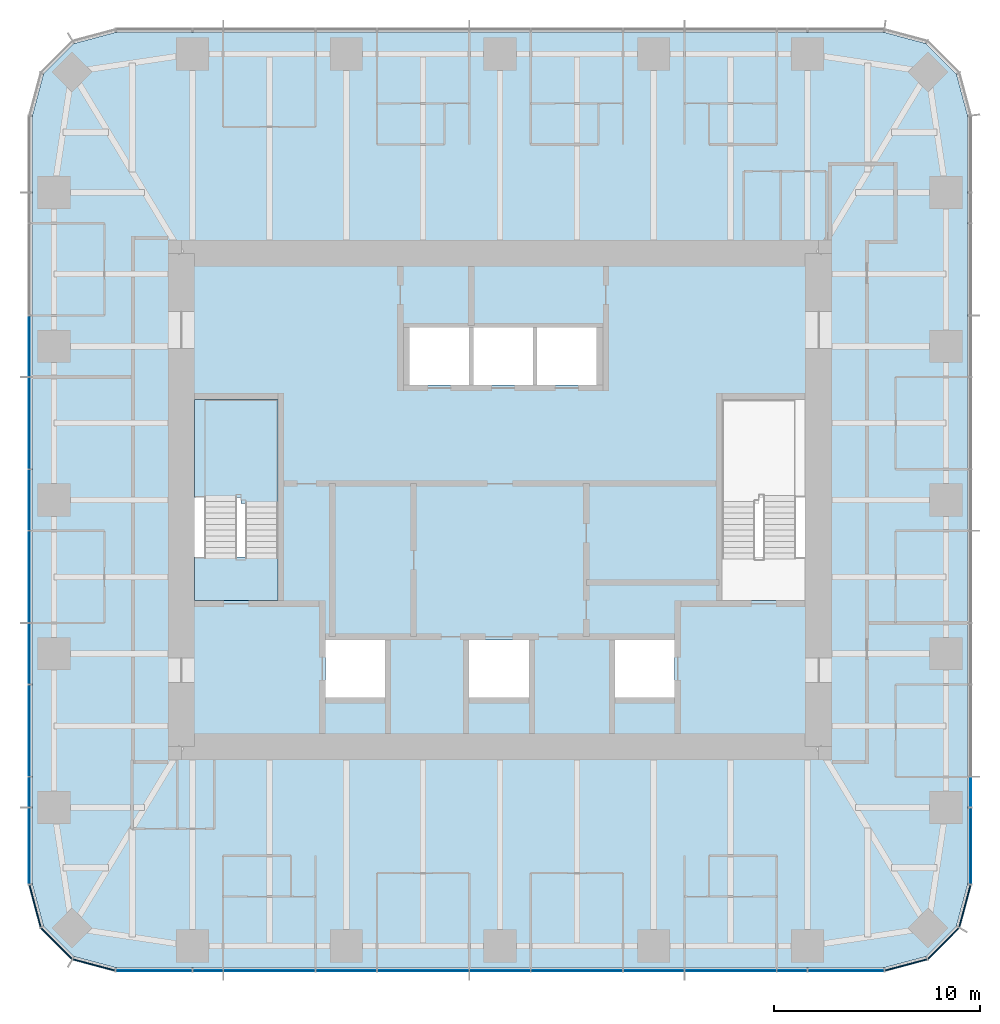
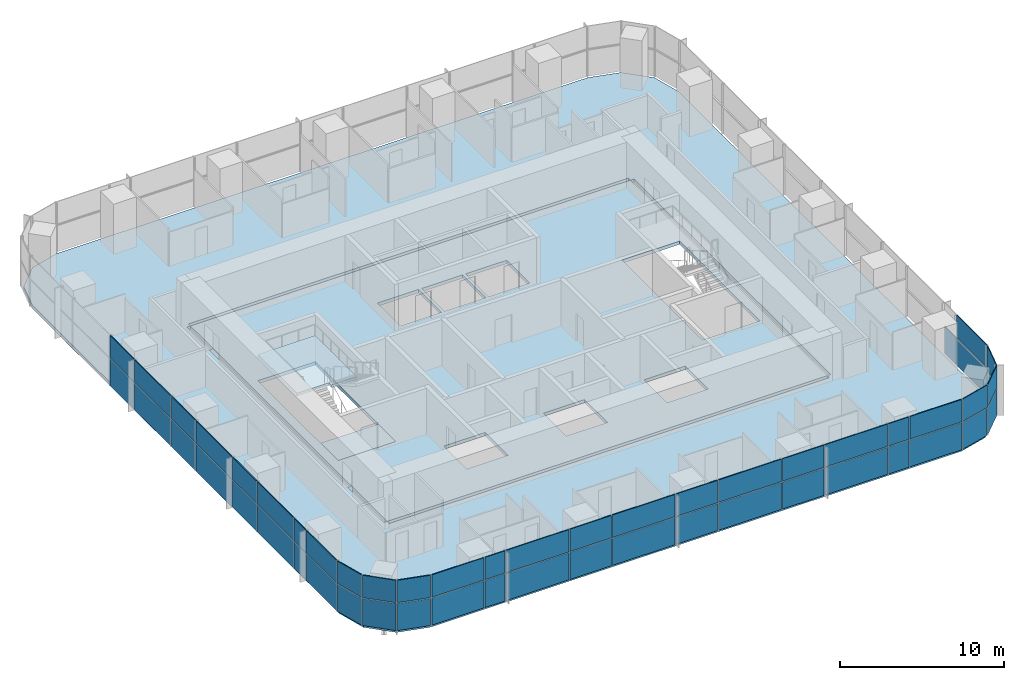
# One storey, part 7 of 13: 53 plates, 4 slabs, 6 elements without a shape of their own.
"""IFC4 building model written with IfcOpenShell, lengths in metres."""

from ifc_helpers import new_model, si_unit, direction, frame, origin, origin_2d, place, context, subcontext, project, spatial, polyline, rectangle, outline, extrude, material, layer, layer_set, type_object, element, aggregate, save


model = new_model("IFC4")

# Units and contexts
model_context = context("Model", 3, precision=1e-05, world=origin(), true_north=direction((0.0, 1.0)))
body_context = subcontext(model_context, "Body", "Model", "MODEL_VIEW")
ifc_project = project(units=[si_unit("LENGTHUNIT", "METRE"), si_unit("AREAUNIT", "SQUARE_METRE"), si_unit("VOLUMEUNIT", "CUBIC_METRE"), si_unit("PLANEANGLEUNIT", "RADIAN"), si_unit("MASSUNIT", "GRAM", prefix="KILO")], contexts=[model_context])

# Site, building, storey
site_placement = place(None, origin())
site = spatial("IfcSite", under=ifc_project, at=site_placement, CompositionType="ELEMENT")
building_placement = place(site_placement, origin())
building = spatial("IfcBuilding", under=site, at=building_placement, Name="Khuree Lantern Residences", CompositionType="ELEMENT")
storey_placement = place(building_placement, frame((0.0, 0.0, 349.5)))
storey = spatial("IfcBuildingStorey", under=building, at=storey_placement, Name="L88", CompositionType="ELEMENT", Elevation=349.5)

# Slab
ifc_material_1 = material(Name="Concrete C35/45", Category="concrete")
ifc_layer_1 = layer(ifc_material_1, 0.25)
ifc_layer_set_1 = layer_set([ifc_layer_1], Name="CFL250 CORE FLOOR SLAB 250")
slab_type_1 = type_object("IfcSlabType", Name="CFL250 CORE FLOOR SLAB 250", PredefinedType="FLOOR", material=ifc_layer_set_1)
slab_1_placement = place(storey_placement, frame((0.0, 0.0, -0.25)))
element("IfcSlab", 1, at=slab_1_placement, inside=storey, type_object=slab_type_1, Name="Core floor L88", PredefinedType="FLOOR", context=body_context, shape_type="SweptSolid", body=[
    extrude(outline(polyline([(-15.5, -12.0), (-15.5, 12.0), (15.5, 12.0), (15.5, -12.0), (-15.5, -12.0)]), holes=[polyline([(10.800048828125, 4.89990234375), (10.800048828125, -4.89990234375), (14.85009765625, -4.89990234375), (14.85009765625, 4.89990234375), (10.800048828125, 4.89990234375)]), polyline([(5.60009765625, -6.800048828125), (5.60009765625, -9.60009765625), (8.5, -9.60009765625), (8.5, -6.800048828125), (5.60009765625, -6.800048828125)]), polyline([(1.800048828125, 8.39990234375), (1.800048828125, 5.60009765625), (4.699951171875, 5.60009765625), (4.699951171875, 8.39990234375), (1.800048828125, 8.39990234375)]), polyline([(-1.300048828125, 8.39990234375), (-1.300048828125, 5.60009765625), (1.60009765625, 5.60009765625), (1.60009765625, 8.39990234375), (-1.300048828125, 8.39990234375)]), polyline([(-1.5, -6.800048828125), (-1.5, -9.60009765625), (1.39990234375, -9.60009765625), (1.39990234375, -6.800048828125), (-1.5, -6.800048828125)]), polyline([(-4.39990234375, 8.39990234375), (-4.39990234375, 5.60009765625), (-1.5, 5.60009765625), (-1.5, 8.39990234375), (-4.39990234375, 8.39990234375)]), polyline([(-8.5, -6.800048828125), (-8.5, -9.60009765625), (-5.60009765625, -9.60009765625), (-5.60009765625, -6.800048828125), (-8.5, -6.800048828125)]), polyline([(-14.85009765625, 4.89990234375), (-14.85009765625, -4.89990234375), (-10.800048828125, -4.89990234375), (-10.800048828125, 4.89990234375), (-14.85009765625, 4.89990234375)])]), origin(), (0.0, 0.0, 1.0), 0.25),
])

# Curtain wall, plates
ifc_material_2 = material(Name="Bronze anodised aluminium", Category="aluminium")
curtain_wall_type_1 = type_object("IfcCurtainWallType", Name="CW-T2 TOWER CORNER CURTAIN WALL", PredefinedType="USERDEFINED", material=ifc_material_2)
curtain_wall_1_placement = place(storey_placement, origin())
curtain_wall_1 = element("IfcCurtainWall", 2, at=curtain_wall_1_placement, inside=storey, type_object=curtain_wall_type_1, Name="L88 SOUTH-EAST CORNER CURTAIN WALL", ObjectType="Faceted corner curtain wall", PredefinedType="USERDEFINED")
ifc_material_3 = material(Name="Bronze tinted triple glazing", Category="glass")
ifc_layer_2 = layer(ifc_material_3, 0.048095703125)
ifc_layer_set_2 = layer_set([ifc_layer_2], Name="FACET PANEL P4")
plate_type_1 = type_object("IfcPlateType", Name="FACET PANEL P4", PredefinedType="CURTAIN_PANEL", material=ifc_layer_set_2)
plate_1_placement = place(storey_placement, frame((19.748046875, -22.619140625, 0.0), z_axis=(0.0, 0.0, 1.0), x_axis=(0.965925861257, 0.2588189146, 0.0)))
plate_1 = element("IfcPlate", 3, at=plate_1_placement, type_object=plate_type_1, Name="L88 SOUTH-EAST CORNER PANEL 1.1", PredefinedType="CURTAIN_PANEL", context=body_context, shape_type="SweptSolid", body=[
    extrude(rectangle(XDim=2.09814453125, YDim=0.048095703125, at=origin_2d()), origin(), (0.0, 0.0, 1.0), 2.017578125),
])
plate_2_placement = place(storey_placement, frame((21.568603515625, -21.568603515625, 0.0), z_axis=(0.0, 0.0, 1.0), x_axis=(0.707106781187, 0.707106781187, 0.0)))
plate_2 = element("IfcPlate", 4, at=plate_2_placement, type_object=plate_type_1, Name="L88 SOUTH-EAST CORNER PANEL 2.1", PredefinedType="CURTAIN_PANEL", context=body_context, shape_type="SweptSolid", body=[
    extrude(rectangle(XDim=2.093994140625, YDim=0.048095703125, at=origin_2d()), origin(), (0.0, 0.0, 1.0), 2.017578125),
])
plate_3_placement = place(storey_placement, frame((22.619140625, -19.748046875, 0.0), z_axis=(0.0, 0.0, 1.0), x_axis=(0.2588189146, 0.965925861257, 0.0)))
plate_3 = element("IfcPlate", 5, at=plate_3_placement, type_object=plate_type_1, Name="L88 SOUTH-EAST CORNER PANEL 3.1", PredefinedType="CURTAIN_PANEL", context=body_context, shape_type="SweptSolid", body=[
    extrude(rectangle(XDim=2.09814453125, YDim=0.048095703125, at=origin_2d()), origin(), (0.0, 0.0, 1.0), 2.017578125),
])

curtain_wall_2_placement = place(storey_placement, origin())
curtain_wall_2 = element("IfcCurtainWall", 6, at=curtain_wall_2_placement, inside=storey, type_object=curtain_wall_type_1, Name="L88 SOUTH-WEST CORNER CURTAIN WALL", ObjectType="Faceted corner curtain wall", PredefinedType="USERDEFINED")
plate_4_placement = place(storey_placement, frame((-22.619140625, -19.748046875, 0.0), z_axis=(0.0, 0.0, 1.0), x_axis=(0.2588189146, -0.965925861257, 0.0)))
plate_4 = element("IfcPlate", 7, at=plate_4_placement, type_object=plate_type_1, Name="L88 SOUTH-WEST CORNER PANEL 43.1", PredefinedType="CURTAIN_PANEL", context=body_context, shape_type="SweptSolid", body=[
    extrude(rectangle(XDim=2.09814453125, YDim=0.048095703125, at=origin_2d()), origin(), (0.0, 0.0, 1.0), 2.017578125),
])
plate_5_placement = place(storey_placement, frame((-21.568603515625, -21.568603515625, 0.0), z_axis=(0.0, 0.0, 1.0), x_axis=(0.707106781187, -0.707106781187, 0.0)))
plate_5 = element("IfcPlate", 8, at=plate_5_placement, type_object=plate_type_1, Name="L88 SOUTH-WEST CORNER PANEL 44.1", PredefinedType="CURTAIN_PANEL", context=body_context, shape_type="SweptSolid", body=[
    extrude(rectangle(XDim=2.093994140625, YDim=0.048095703125, at=origin_2d()), origin(), (0.0, 0.0, 1.0), 2.017578125),
])
plate_6_placement = place(storey_placement, frame((-19.748046875, -22.619140625, 0.0), z_axis=(0.0, 0.0, 1.0), x_axis=(0.965925861257, -0.2588189146, 0.0)))
plate_6 = element("IfcPlate", 9, at=plate_6_placement, type_object=plate_type_1, Name="L88 SOUTH-WEST CORNER PANEL 45.1", PredefinedType="CURTAIN_PANEL", context=body_context, shape_type="SweptSolid", body=[
    extrude(rectangle(XDim=2.09814453125, YDim=0.048095703125, at=origin_2d()), origin(), (0.0, 0.0, 1.0), 2.017578125),
])

curtain_wall_type_2 = type_object("IfcCurtainWallType", Name="CW-T1 TOWER FACE CURTAIN WALL", PredefinedType="USERDEFINED", material=ifc_material_2)
curtain_wall_3_placement = place(storey_placement, origin())
curtain_wall_3 = element("IfcCurtainWall", 10, at=curtain_wall_3_placement, inside=storey, type_object=curtain_wall_type_2, Name="L88 WEST FACE CURTAIN WALL", ObjectType="Stick-built curtain wall", PredefinedType="USERDEFINED")
ifc_material_4 = material(Name="Bronze tinted triple glazing with a ceramic-fritted spandrel band", Category="glass")
ifc_layer_3 = layer(ifc_material_4, 0.048095703125)
ifc_layer_set_3 = layer_set([ifc_layer_3], Name="FIXED LIGHT PANEL P11")
plate_type_2 = type_object("IfcPlateType", Name="FIXED LIGHT PANEL P11", PredefinedType="CURTAIN_PANEL", material=ifc_layer_set_3)
plate_7_placement = place(storey_placement, frame((-22.89990234375, 3.739990234375, 0.0), z_axis=(0.0, 0.0, 1.0), x_axis=(0.0, -1.0, 0.0)))
plate_7 = element("IfcPlate", 11, at=plate_7_placement, type_object=plate_type_2, Name="L88 WEST FACE PANEL 36.1", PredefinedType="CURTAIN_PANEL", context=body_context, shape_type="SweptSolid", body=[
    extrude(rectangle(XDim=4.423095703125, YDim=0.048095703125, at=origin_2d()), origin(), (0.0, 0.0, 1.0), 2.017578125),
])
plate_8_placement = place(storey_placement, frame((-22.89990234375, -3.739990234375, 0.0), z_axis=(0.0, 0.0, 1.0), x_axis=(0.0, -1.0, 0.0)))
plate_8 = element("IfcPlate", 12, at=plate_8_placement, type_object=plate_type_2, Name="L88 WEST FACE PANEL 38.1", PredefinedType="CURTAIN_PANEL", context=body_context, shape_type="SweptSolid", body=[
    extrude(rectangle(XDim=4.423095703125, YDim=0.048095703125, at=origin_2d()), origin(), (0.0, 0.0, 1.0), 2.017578125),
])
plate_9_placement = place(storey_placement, frame((-22.89990234375, -11.219970703125, 0.0), z_axis=(0.0, 0.0, 1.0), x_axis=(0.0, -1.0, 0.0)))
plate_9 = element("IfcPlate", 13, at=plate_9_placement, type_object=plate_type_2, Name="L88 WEST FACE PANEL 40.1", PredefinedType="CURTAIN_PANEL", context=body_context, shape_type="SweptSolid", body=[
    extrude(rectangle(XDim=4.423095703125, YDim=0.048095703125, at=origin_2d()), origin(), (0.0, 0.0, 1.0), 2.017578125),
])

curtain_wall_4_placement = place(storey_placement, origin())
curtain_wall_4 = element("IfcCurtainWall", 14, at=curtain_wall_4_placement, inside=storey, type_object=curtain_wall_type_2, Name="L88 SOUTH FACE CURTAIN WALL", ObjectType="Stick-built curtain wall", PredefinedType="USERDEFINED")
plate_10_placement = place(storey_placement, frame((-11.219970703125, -22.89990234375, 0.0), z_axis=(0.0, 0.0, 1.0), x_axis=(1.0, 0.0, 0.0)))
plate_10 = element("IfcPlate", 15, at=plate_10_placement, type_object=plate_type_2, Name="L88 SOUTH FACE PANEL 48.1", PredefinedType="CURTAIN_PANEL", context=body_context, shape_type="SweptSolid", body=[
    extrude(rectangle(XDim=4.423095703125, YDim=0.048095703125, at=origin_2d()), origin(), (0.0, 0.0, 1.0), 2.017578125),
])
plate_11_placement = place(storey_placement, frame((-3.739990234375, -22.89990234375, 0.0), z_axis=(0.0, 0.0, 1.0), x_axis=(1.0, 0.0, 0.0)))
plate_11 = element("IfcPlate", 16, at=plate_11_placement, type_object=plate_type_2, Name="L88 SOUTH FACE PANEL 50.1", PredefinedType="CURTAIN_PANEL", context=body_context, shape_type="SweptSolid", body=[
    extrude(rectangle(XDim=4.423095703125, YDim=0.048095703125, at=origin_2d()), origin(), (0.0, 0.0, 1.0), 2.017578125),
])
plate_12_placement = place(storey_placement, frame((3.739990234375, -22.89990234375, 0.0), z_axis=(0.0, 0.0, 1.0), x_axis=(1.0, 0.0, 0.0)))
plate_12 = element("IfcPlate", 17, at=plate_12_placement, type_object=plate_type_2, Name="L88 SOUTH FACE PANEL 52.1", PredefinedType="CURTAIN_PANEL", context=body_context, shape_type="SweptSolid", body=[
    extrude(rectangle(XDim=4.423095703125, YDim=0.048095703125, at=origin_2d()), origin(), (0.0, 0.0, 1.0), 2.017578125),
])
plate_13_placement = place(storey_placement, frame((11.219970703125, -22.89990234375, 0.0), z_axis=(0.0, 0.0, 1.0), x_axis=(1.0, 0.0, 0.0)))
plate_13 = element("IfcPlate", 18, at=plate_13_placement, type_object=plate_type_2, Name="L88 SOUTH FACE PANEL 54.1", PredefinedType="CURTAIN_PANEL", context=body_context, shape_type="SweptSolid", body=[
    extrude(rectangle(XDim=4.423095703125, YDim=0.048095703125, at=origin_2d()), origin(), (0.0, 0.0, 1.0), 2.017578125),
])

# Slab
ifc_layer_4 = layer(ifc_material_1, 0.25)
ifc_layer_set_4 = layer_set([ifc_layer_4], Name="FS250 FLOOR SLAB 250")
slab_type_2 = type_object("IfcSlabType", Name="FS250 FLOOR SLAB 250", PredefinedType="FLOOR", material=ifc_layer_set_4)
slab_2_placement = place(storey_placement, frame((0.0, 0.0, -0.25)))
element("IfcSlab", 19, at=slab_2_placement, inside=storey, type_object=slab_type_2, Name="Floor slab L88", PredefinedType="FLOOR", context=body_context, shape_type="SweptSolid", body=[
    extrude(outline(polyline([(-20.72509765625, -22.20751953125), (-22.20751953125, -20.72509765625), (-22.75, -18.699951171875), (-22.75, 18.699951171875), (-22.20751953125, 20.72509765625), (-20.72509765625, 22.20751953125), (-18.699951171875, 22.75), (18.699951171875, 22.75), (20.72509765625, 22.20751953125), (22.20751953125, 20.72509765625), (22.75, 18.699951171875), (22.75, -18.699951171875), (22.20751953125, -20.72509765625), (20.72509765625, -22.20751953125), (18.699951171875, -22.75), (-18.699951171875, -22.75), (-20.72509765625, -22.20751953125)]), holes=[polyline([(15.75, 12.0), (15.5, 12.0), (15.5, 12.25), (-15.5, 12.25), (-15.5, 12.0), (-15.75, 12.0), (-15.75, -12.0), (-15.5, -12.0), (-15.5, -12.25), (15.5, -12.25), (15.5, -12.0), (15.75, -12.0), (15.75, 12.0)])]), origin(), (0.0, 0.0, 1.0), 0.25),
])

# Plate
ifc_material_5 = material(Name="Bronze tinted triple glazing, two aluminium-framed sashes in one frame", Category="aluminium")
ifc_layer_5 = layer(ifc_material_5, 0.048095703125)
ifc_layer_set_5 = layer_set([ifc_layer_5], Name="SASH PAIR PANEL P12")
plate_type_3 = type_object("IfcPlateType", Name="SASH PAIR PANEL P12", PredefinedType="CURTAIN_PANEL", material=ifc_layer_set_5)
plate_14_placement = place(storey_placement, frame((-22.89990234375, 7.47998046875, 0.0), z_axis=(0.0, 0.0, 1.0), x_axis=(0.0, -1.0, 0.0)))
plate_14 = element("IfcPlate", 20, at=plate_14_placement, type_object=plate_type_3, Name="L88 WEST FACE PANEL 35.1", PredefinedType="CURTAIN_PANEL", context=body_context, shape_type="SweptSolid", body=[
    extrude(rectangle(XDim=2.927001953125, YDim=0.048095703125, at=origin_2d()), origin(), (0.0, 0.0, 1.0), 2.017578125),
])

plate_15_placement = place(storey_placement, frame((-22.89990234375, 0.0, 0.0), z_axis=(0.0, 0.0, 1.0), x_axis=(0.0, -1.0, 0.0)))
plate_15 = element("IfcPlate", 21, at=plate_15_placement, type_object=plate_type_3, Name="L88 WEST FACE PANEL 37.1", PredefinedType="CURTAIN_PANEL", context=body_context, shape_type="SweptSolid", body=[
    extrude(rectangle(XDim=2.927001953125, YDim=0.048095703125, at=origin_2d()), origin(), (0.0, 0.0, 1.0), 2.017578125),
])

plate_16_placement = place(storey_placement, frame((-22.89990234375, -7.47998046875, 0.0), z_axis=(0.0, 0.0, 1.0), x_axis=(0.0, -1.0, 0.0)))
plate_16 = element("IfcPlate", 22, at=plate_16_placement, type_object=plate_type_3, Name="L88 WEST FACE PANEL 39.1", PredefinedType="CURTAIN_PANEL", context=body_context, shape_type="SweptSolid", body=[
    extrude(rectangle(XDim=2.927001953125, YDim=0.048095703125, at=origin_2d()), origin(), (0.0, 0.0, 1.0), 2.017578125),
])

plate_17_placement = place(storey_placement, frame((-7.47998046875, -22.89990234375, 0.0), z_axis=(0.0, 0.0, 1.0), x_axis=(1.0, 0.0, 0.0)))
plate_17 = element("IfcPlate", 23, at=plate_17_placement, type_object=plate_type_3, Name="L88 SOUTH FACE PANEL 49.1", PredefinedType="CURTAIN_PANEL", context=body_context, shape_type="SweptSolid", body=[
    extrude(rectangle(XDim=2.927001953125, YDim=0.048095703125, at=origin_2d()), origin(), (0.0, 0.0, 1.0), 2.017578125),
])

plate_18_placement = place(storey_placement, frame((0.0, -22.89990234375, 0.0), z_axis=(0.0, 0.0, 1.0), x_axis=(1.0, 0.0, 0.0)))
plate_18 = element("IfcPlate", 24, at=plate_18_placement, type_object=plate_type_3, Name="L88 SOUTH FACE PANEL 51.1", PredefinedType="CURTAIN_PANEL", context=body_context, shape_type="SweptSolid", body=[
    extrude(rectangle(XDim=2.927001953125, YDim=0.048095703125, at=origin_2d()), origin(), (0.0, 0.0, 1.0), 2.017578125),
])

plate_19_placement = place(storey_placement, frame((7.47998046875, -22.89990234375, 0.0), z_axis=(0.0, 0.0, 1.0), x_axis=(1.0, 0.0, 0.0)))
plate_19 = element("IfcPlate", 25, at=plate_19_placement, type_object=plate_type_3, Name="L88 SOUTH FACE PANEL 53.1", PredefinedType="CURTAIN_PANEL", context=body_context, shape_type="SweptSolid", body=[
    extrude(rectangle(XDim=2.927001953125, YDim=0.048095703125, at=origin_2d()), origin(), (0.0, 0.0, 1.0), 2.017578125),
])

# Curtain wall, plate
curtain_wall_5_placement = place(storey_placement, origin())
curtain_wall_5 = element("IfcCurtainWall", 26, at=curtain_wall_5_placement, inside=storey, type_object=curtain_wall_type_2, Name="L88 EAST FACE CURTAIN WALL", ObjectType="Stick-built curtain wall", PredefinedType="USERDEFINED")
ifc_material_6 = material(Name="Bronze tinted triple glazing, aluminium-framed sash", Category="aluminium")
ifc_layer_6 = layer(ifc_material_6, 0.048095703125)
ifc_layer_set_6 = layer_set([ifc_layer_6], Name="SASH PANEL P3")
plate_type_4 = type_object("IfcPlateType", Name="SASH PANEL P3", PredefinedType="CURTAIN_PANEL", material=ifc_layer_set_6)
plate_20_placement = place(storey_placement, frame((22.89990234375, -14.2119140625, 0.0), z_axis=(0.0, 0.0, 1.0), x_axis=(0.0, 1.0, 0.0)))
plate_20 = element("IfcPlate", 27, at=plate_20_placement, type_object=plate_type_4, Name="L88 EAST FACE PANEL 5.1", PredefinedType="CURTAIN_PANEL", context=body_context, shape_type="SweptSolid", body=[
    extrude(rectangle(XDim=1.430908203125, YDim=0.048095703125, at=origin_2d()), origin(), (0.0, 0.0, 1.0), 2.017578125),
])

# Plate
plate_21_placement = place(storey_placement, frame((-22.89990234375, -14.2119140625, 0.0), z_axis=(0.0, 0.0, 1.0), x_axis=(0.0, -1.0, 0.0)))
plate_21 = element("IfcPlate", 28, at=plate_21_placement, type_object=plate_type_4, Name="L88 WEST FACE PANEL 41.1", PredefinedType="CURTAIN_PANEL", context=body_context, shape_type="SweptSolid", body=[
    extrude(rectangle(XDim=1.430908203125, YDim=0.048095703125, at=origin_2d()), origin(), (0.0, 0.0, 1.0), 2.017578125),
])

plate_22_placement = place(storey_placement, frame((-14.2119140625, -22.89990234375, 0.0), z_axis=(0.0, 0.0, 1.0), x_axis=(1.0, 0.0, 0.0)))
plate_22 = element("IfcPlate", 29, at=plate_22_placement, type_object=plate_type_4, Name="L88 SOUTH FACE PANEL 47.1", PredefinedType="CURTAIN_PANEL", context=body_context, shape_type="SweptSolid", body=[
    extrude(rectangle(XDim=1.430908203125, YDim=0.048095703125, at=origin_2d()), origin(), (0.0, 0.0, 1.0), 2.017578125),
])

plate_23_placement = place(storey_placement, frame((14.2119140625, -22.89990234375, 0.0), z_axis=(0.0, 0.0, 1.0), x_axis=(1.0, 0.0, 0.0)))
plate_23 = element("IfcPlate", 30, at=plate_23_placement, type_object=plate_type_4, Name="L88 SOUTH FACE PANEL 55.1", PredefinedType="CURTAIN_PANEL", context=body_context, shape_type="SweptSolid", body=[
    extrude(rectangle(XDim=1.430908203125, YDim=0.048095703125, at=origin_2d()), origin(), (0.0, 0.0, 1.0), 2.017578125),
])

ifc_material_7 = material(Name="Bronze anodised aluminium insulated spandrel", Category="aluminium")
ifc_layer_7 = layer(ifc_material_7, 0.06005859375)
ifc_layer_set_7 = layer_set([ifc_layer_7], Name="SPANDREL PANEL P2")
plate_type_5 = type_object("IfcPlateType", Name="SPANDREL PANEL P2", PredefinedType="CURTAIN_PANEL", material=ifc_layer_set_7)
plate_24_placement = place(storey_placement, frame((19.74755859375, -22.619384765625, 2.08251953125), z_axis=(0.0, 0.0, 1.0), x_axis=(0.965925861257, 0.2588189146, 0.0)))
plate_24 = element("IfcPlate", 31, at=plate_24_placement, type_object=plate_type_5, Name="L88 SOUTH-EAST CORNER PANEL 1.2", PredefinedType="CURTAIN_PANEL", context=body_context, shape_type="SweptSolid", body=[
    extrude(rectangle(XDim=2.095703125, YDim=0.06005859375, at=origin_2d()), origin(), (0.0, 0.0, 1.0), 1.66748046875),
])

plate_25_placement = place(storey_placement, frame((21.568603515625, -21.568603515625, 2.08251953125), z_axis=(0.0, 0.0, 1.0), x_axis=(0.707106781187, 0.707106781187, 0.0)))
plate_25 = element("IfcPlate", 32, at=plate_25_placement, type_object=plate_type_5, Name="L88 SOUTH-EAST CORNER PANEL 2.2", PredefinedType="CURTAIN_PANEL", context=body_context, shape_type="SweptSolid", body=[
    extrude(rectangle(XDim=2.0908203125, YDim=0.06005859375, at=origin_2d()), origin(), (0.0, 0.0, 1.0), 1.66748046875),
])

plate_26_placement = place(storey_placement, frame((22.619384765625, -19.74755859375, 2.08251953125), z_axis=(0.0, 0.0, 1.0), x_axis=(0.2588189146, 0.965925861257, 0.0)))
plate_26 = element("IfcPlate", 33, at=plate_26_placement, type_object=plate_type_5, Name="L88 SOUTH-EAST CORNER PANEL 3.2", PredefinedType="CURTAIN_PANEL", context=body_context, shape_type="SweptSolid", body=[
    extrude(rectangle(XDim=2.095703125, YDim=0.06005859375, at=origin_2d()), origin(), (0.0, 0.0, 1.0), 1.66748046875),
])

aggregate(curtain_wall_1, [plate_1, plate_24, plate_2, plate_25, plate_3, plate_26])

plate_27_placement = place(storey_placement, frame((22.89990234375, -16.827880859375, 2.08251953125), z_axis=(0.0, 0.0, 1.0), x_axis=(0.0, 1.0, 0.0)))
plate_27 = element("IfcPlate", 34, at=plate_27_placement, type_object=plate_type_5, Name="L88 EAST FACE PANEL 4.2", PredefinedType="CURTAIN_PANEL", context=body_context, shape_type="SweptSolid", body=[
    extrude(rectangle(XDim=3.670654296875, YDim=0.06005859375, at=origin_2d()), origin(), (0.0, 0.0, 1.0), 1.66748046875),
])

plate_28_placement = place(storey_placement, frame((-22.89990234375, 7.47998046875, 2.08251953125), z_axis=(0.0, 0.0, 1.0), x_axis=(0.0, -1.0, 0.0)))
plate_28 = element("IfcPlate", 35, at=plate_28_placement, type_object=plate_type_5, Name="L88 WEST FACE PANEL 35.2", PredefinedType="CURTAIN_PANEL", context=body_context, shape_type="SweptSolid", body=[
    extrude(rectangle(XDim=2.927001953125, YDim=0.06005859375, at=origin_2d()), origin(), (0.0, 0.0, 1.0), 1.66748046875),
])

plate_29_placement = place(storey_placement, frame((-22.89990234375, 3.739990234375, 2.08251953125), z_axis=(0.0, 0.0, 1.0), x_axis=(0.0, -1.0, 0.0)))
plate_29 = element("IfcPlate", 36, at=plate_29_placement, type_object=plate_type_5, Name="L88 WEST FACE PANEL 36.2", PredefinedType="CURTAIN_PANEL", context=body_context, shape_type="SweptSolid", body=[
    extrude(rectangle(XDim=4.423095703125, YDim=0.06005859375, at=origin_2d()), origin(), (0.0, 0.0, 1.0), 1.66748046875),
])

plate_30_placement = place(storey_placement, frame((-22.89990234375, 0.0, 2.08251953125), z_axis=(0.0, 0.0, 1.0), x_axis=(0.0, -1.0, 0.0)))
plate_30 = element("IfcPlate", 37, at=plate_30_placement, type_object=plate_type_5, Name="L88 WEST FACE PANEL 37.2", PredefinedType="CURTAIN_PANEL", context=body_context, shape_type="SweptSolid", body=[
    extrude(rectangle(XDim=2.927001953125, YDim=0.06005859375, at=origin_2d()), origin(), (0.0, 0.0, 1.0), 1.66748046875),
])

plate_31_placement = place(storey_placement, frame((-22.89990234375, -3.739990234375, 2.08251953125), z_axis=(0.0, 0.0, 1.0), x_axis=(0.0, -1.0, 0.0)))
plate_31 = element("IfcPlate", 38, at=plate_31_placement, type_object=plate_type_5, Name="L88 WEST FACE PANEL 38.2", PredefinedType="CURTAIN_PANEL", context=body_context, shape_type="SweptSolid", body=[
    extrude(rectangle(XDim=4.423095703125, YDim=0.06005859375, at=origin_2d()), origin(), (0.0, 0.0, 1.0), 1.66748046875),
])

plate_32_placement = place(storey_placement, frame((-22.89990234375, -7.47998046875, 2.08251953125), z_axis=(0.0, 0.0, 1.0), x_axis=(0.0, -1.0, 0.0)))
plate_32 = element("IfcPlate", 39, at=plate_32_placement, type_object=plate_type_5, Name="L88 WEST FACE PANEL 39.2", PredefinedType="CURTAIN_PANEL", context=body_context, shape_type="SweptSolid", body=[
    extrude(rectangle(XDim=2.927001953125, YDim=0.06005859375, at=origin_2d()), origin(), (0.0, 0.0, 1.0), 1.66748046875),
])

plate_33_placement = place(storey_placement, frame((-22.89990234375, -11.219970703125, 2.08251953125), z_axis=(0.0, 0.0, 1.0), x_axis=(0.0, -1.0, 0.0)))
plate_33 = element("IfcPlate", 40, at=plate_33_placement, type_object=plate_type_5, Name="L88 WEST FACE PANEL 40.2", PredefinedType="CURTAIN_PANEL", context=body_context, shape_type="SweptSolid", body=[
    extrude(rectangle(XDim=4.423095703125, YDim=0.06005859375, at=origin_2d()), origin(), (0.0, 0.0, 1.0), 1.66748046875),
])

plate_34_placement = place(storey_placement, frame((-22.89990234375, -14.2119140625, 2.08251953125), z_axis=(0.0, 0.0, 1.0), x_axis=(0.0, -1.0, 0.0)))
plate_34 = element("IfcPlate", 41, at=plate_34_placement, type_object=plate_type_5, Name="L88 WEST FACE PANEL 41.2", PredefinedType="CURTAIN_PANEL", context=body_context, shape_type="SweptSolid", body=[
    extrude(rectangle(XDim=1.430908203125, YDim=0.06005859375, at=origin_2d()), origin(), (0.0, 0.0, 1.0), 1.66748046875),
])

plate_35_placement = place(storey_placement, frame((-22.89990234375, -16.827880859375, 2.08251953125), z_axis=(0.0, 0.0, 1.0), x_axis=(0.0, -1.0, 0.0)))
plate_35 = element("IfcPlate", 42, at=plate_35_placement, type_object=plate_type_5, Name="L88 WEST FACE PANEL 42.2", PredefinedType="CURTAIN_PANEL", context=body_context, shape_type="SweptSolid", body=[
    extrude(rectangle(XDim=3.670654296875, YDim=0.06005859375, at=origin_2d()), origin(), (0.0, 0.0, 1.0), 1.66748046875),
])

plate_36_placement = place(storey_placement, frame((-22.619384765625, -19.74755859375, 2.08251953125), z_axis=(0.0, 0.0, 1.0), x_axis=(0.2588189146, -0.965925861257, 0.0)))
plate_36 = element("IfcPlate", 43, at=plate_36_placement, type_object=plate_type_5, Name="L88 SOUTH-WEST CORNER PANEL 43.2", PredefinedType="CURTAIN_PANEL", context=body_context, shape_type="SweptSolid", body=[
    extrude(rectangle(XDim=2.095703125, YDim=0.06005859375, at=origin_2d()), origin(), (0.0, 0.0, 1.0), 1.66748046875),
])

plate_37_placement = place(storey_placement, frame((-21.568603515625, -21.568603515625, 2.08251953125), z_axis=(0.0, 0.0, 1.0), x_axis=(0.707106781187, -0.707106781187, 0.0)))
plate_37 = element("IfcPlate", 44, at=plate_37_placement, type_object=plate_type_5, Name="L88 SOUTH-WEST CORNER PANEL 44.2", PredefinedType="CURTAIN_PANEL", context=body_context, shape_type="SweptSolid", body=[
    extrude(rectangle(XDim=2.0908203125, YDim=0.06005859375, at=origin_2d()), origin(), (0.0, 0.0, 1.0), 1.66748046875),
])

plate_38_placement = place(storey_placement, frame((-19.74755859375, -22.619384765625, 2.08251953125), z_axis=(0.0, 0.0, 1.0), x_axis=(0.965925861257, -0.2588189146, 0.0)))
plate_38 = element("IfcPlate", 45, at=plate_38_placement, type_object=plate_type_5, Name="L88 SOUTH-WEST CORNER PANEL 45.2", PredefinedType="CURTAIN_PANEL", context=body_context, shape_type="SweptSolid", body=[
    extrude(rectangle(XDim=2.095703125, YDim=0.06005859375, at=origin_2d()), origin(), (0.0, 0.0, 1.0), 1.66748046875),
])

aggregate(curtain_wall_2, [plate_4, plate_36, plate_5, plate_37, plate_6, plate_38])

plate_39_placement = place(storey_placement, frame((-16.827880859375, -22.89990234375, 2.08251953125), z_axis=(0.0, 0.0, 1.0), x_axis=(1.0, 0.0, 0.0)))
plate_39 = element("IfcPlate", 46, at=plate_39_placement, type_object=plate_type_5, Name="L88 SOUTH FACE PANEL 46.2", PredefinedType="CURTAIN_PANEL", context=body_context, shape_type="SweptSolid", body=[
    extrude(rectangle(XDim=3.670654296875, YDim=0.06005859375, at=origin_2d()), origin(), (0.0, 0.0, 1.0), 1.66748046875),
])

plate_40_placement = place(storey_placement, frame((-14.2119140625, -22.89990234375, 2.08251953125), z_axis=(0.0, 0.0, 1.0), x_axis=(1.0, 0.0, 0.0)))
plate_40 = element("IfcPlate", 47, at=plate_40_placement, type_object=plate_type_5, Name="L88 SOUTH FACE PANEL 47.2", PredefinedType="CURTAIN_PANEL", context=body_context, shape_type="SweptSolid", body=[
    extrude(rectangle(XDim=1.430908203125, YDim=0.06005859375, at=origin_2d()), origin(), (0.0, 0.0, 1.0), 1.66748046875),
])

plate_41_placement = place(storey_placement, frame((-11.219970703125, -22.89990234375, 2.08251953125), z_axis=(0.0, 0.0, 1.0), x_axis=(1.0, 0.0, 0.0)))
plate_41 = element("IfcPlate", 48, at=plate_41_placement, type_object=plate_type_5, Name="L88 SOUTH FACE PANEL 48.2", PredefinedType="CURTAIN_PANEL", context=body_context, shape_type="SweptSolid", body=[
    extrude(rectangle(XDim=4.423095703125, YDim=0.06005859375, at=origin_2d()), origin(), (0.0, 0.0, 1.0), 1.66748046875),
])

plate_42_placement = place(storey_placement, frame((-7.47998046875, -22.89990234375, 2.08251953125), z_axis=(0.0, 0.0, 1.0), x_axis=(1.0, 0.0, 0.0)))
plate_42 = element("IfcPlate", 49, at=plate_42_placement, type_object=plate_type_5, Name="L88 SOUTH FACE PANEL 49.2", PredefinedType="CURTAIN_PANEL", context=body_context, shape_type="SweptSolid", body=[
    extrude(rectangle(XDim=2.927001953125, YDim=0.06005859375, at=origin_2d()), origin(), (0.0, 0.0, 1.0), 1.66748046875),
])

plate_43_placement = place(storey_placement, frame((-3.739990234375, -22.89990234375, 2.08251953125), z_axis=(0.0, 0.0, 1.0), x_axis=(1.0, 0.0, 0.0)))
plate_43 = element("IfcPlate", 50, at=plate_43_placement, type_object=plate_type_5, Name="L88 SOUTH FACE PANEL 50.2", PredefinedType="CURTAIN_PANEL", context=body_context, shape_type="SweptSolid", body=[
    extrude(rectangle(XDim=4.423095703125, YDim=0.06005859375, at=origin_2d()), origin(), (0.0, 0.0, 1.0), 1.66748046875),
])

plate_44_placement = place(storey_placement, frame((0.0, -22.89990234375, 2.08251953125), z_axis=(0.0, 0.0, 1.0), x_axis=(1.0, 0.0, 0.0)))
plate_44 = element("IfcPlate", 51, at=plate_44_placement, type_object=plate_type_5, Name="L88 SOUTH FACE PANEL 51.2", PredefinedType="CURTAIN_PANEL", context=body_context, shape_type="SweptSolid", body=[
    extrude(rectangle(XDim=2.927001953125, YDim=0.06005859375, at=origin_2d()), origin(), (0.0, 0.0, 1.0), 1.66748046875),
])

plate_45_placement = place(storey_placement, frame((3.739990234375, -22.89990234375, 2.08251953125), z_axis=(0.0, 0.0, 1.0), x_axis=(1.0, 0.0, 0.0)))
plate_45 = element("IfcPlate", 52, at=plate_45_placement, type_object=plate_type_5, Name="L88 SOUTH FACE PANEL 52.2", PredefinedType="CURTAIN_PANEL", context=body_context, shape_type="SweptSolid", body=[
    extrude(rectangle(XDim=4.423095703125, YDim=0.06005859375, at=origin_2d()), origin(), (0.0, 0.0, 1.0), 1.66748046875),
])

plate_46_placement = place(storey_placement, frame((7.47998046875, -22.89990234375, 2.08251953125), z_axis=(0.0, 0.0, 1.0), x_axis=(1.0, 0.0, 0.0)))
plate_46 = element("IfcPlate", 53, at=plate_46_placement, type_object=plate_type_5, Name="L88 SOUTH FACE PANEL 53.2", PredefinedType="CURTAIN_PANEL", context=body_context, shape_type="SweptSolid", body=[
    extrude(rectangle(XDim=2.927001953125, YDim=0.06005859375, at=origin_2d()), origin(), (0.0, 0.0, 1.0), 1.66748046875),
])

plate_47_placement = place(storey_placement, frame((11.219970703125, -22.89990234375, 2.08251953125), z_axis=(0.0, 0.0, 1.0), x_axis=(1.0, 0.0, 0.0)))
plate_47 = element("IfcPlate", 54, at=plate_47_placement, type_object=plate_type_5, Name="L88 SOUTH FACE PANEL 54.2", PredefinedType="CURTAIN_PANEL", context=body_context, shape_type="SweptSolid", body=[
    extrude(rectangle(XDim=4.423095703125, YDim=0.06005859375, at=origin_2d()), origin(), (0.0, 0.0, 1.0), 1.66748046875),
])

plate_48_placement = place(storey_placement, frame((14.2119140625, -22.89990234375, 2.08251953125), z_axis=(0.0, 0.0, 1.0), x_axis=(1.0, 0.0, 0.0)))
plate_48 = element("IfcPlate", 55, at=plate_48_placement, type_object=plate_type_5, Name="L88 SOUTH FACE PANEL 55.2", PredefinedType="CURTAIN_PANEL", context=body_context, shape_type="SweptSolid", body=[
    extrude(rectangle(XDim=1.430908203125, YDim=0.06005859375, at=origin_2d()), origin(), (0.0, 0.0, 1.0), 1.66748046875),
])

plate_49_placement = place(storey_placement, frame((16.827880859375, -22.89990234375, 2.08251953125), z_axis=(0.0, 0.0, 1.0), x_axis=(1.0, 0.0, 0.0)))
plate_49 = element("IfcPlate", 56, at=plate_49_placement, type_object=plate_type_5, Name="L88 SOUTH FACE PANEL 56.2", PredefinedType="CURTAIN_PANEL", context=body_context, shape_type="SweptSolid", body=[
    extrude(rectangle(XDim=3.670654296875, YDim=0.06005859375, at=origin_2d()), origin(), (0.0, 0.0, 1.0), 1.66748046875),
])

# Stair, slabs
ifc_material_8 = material(Name="Concrete C40/50", Category="concrete")
stair_type = type_object("IfcStairType", Name="STAIR ST1 HALF TURN 3600", PredefinedType="HALF_TURN_STAIR", material=ifc_material_8)
stair_placement = place(storey_placement, origin())
stair = element("IfcStair", 57, at=stair_placement, inside=storey, type_object=stair_type, Name="Stair ST1", PredefinedType="HALF_TURN_STAIR")
ifc_layer_8 = layer(ifc_material_8, 0.199951171875)
ifc_layer_set_8 = layer_set([ifc_layer_8], Name="STAIR LANDING SL1 200")
slab_type_3 = type_object("IfcSlabType", Name="STAIR LANDING SL1 200", PredefinedType="LANDING", material=ifc_layer_set_8)
slab_3_placement = place(storey_placement, frame((0.0, 0.0, -0.199951171875)))
slab_3 = element("IfcSlab", 58, at=slab_3_placement, type_object=slab_type_3, Name="ST1 landing 1", PredefinedType="LANDING", context=body_context, shape_type="SweptSolid", body=[
    extrude(outline(polyline([(-14.85009765625, -4.89990234375), (-10.800048828125, -4.89990234375), (-10.800048828125, -2.760009765625), (-14.85009765625, -2.760009765625), (-14.85009765625, -4.89990234375)])), origin(), (0.0, 0.0, 1.0), 0.199951171875),
])
slab_4_placement = place(storey_placement, frame((0.0, 0.0, 1.756591796875)))
slab_4 = element("IfcSlab", 59, at=slab_4_placement, type_object=slab_type_3, Name="ST1 landing 2", PredefinedType="LANDING", context=body_context, shape_type="SweptSolid", body=[
    extrude(outline(polyline([(-14.85009765625, 0.1201171875), (-14.85009765625, 4.89990234375), (-10.800048828125, 4.89990234375), (-10.800048828125, -0.159912109375), (-12.60009765625, -0.159912109375), (-12.60009765625, 0.1201171875), (-14.85009765625, 0.1201171875)])), origin(), (0.0, 0.0, 1.0), 0.199951171875),
])
aggregate(stair, [slab_3, slab_4])

# Plate
ifc_layer_9 = layer(ifc_material_3, 0.048095703125)
ifc_layer_set_9 = layer_set([ifc_layer_9], Name="VISION PANEL P1")
plate_type_6 = type_object("IfcPlateType", Name="VISION PANEL P1", PredefinedType="CURTAIN_PANEL", material=ifc_layer_set_9)
plate_50_placement = place(storey_placement, frame((22.89990234375, -16.828369140625, 0.0), z_axis=(0.0, 0.0, 1.0), x_axis=(0.0, 1.0, 0.0)))
plate_50 = element("IfcPlate", 60, at=plate_50_placement, type_object=plate_type_6, Name="L88 EAST FACE PANEL 4.1", PredefinedType="CURTAIN_PANEL", context=body_context, shape_type="SweptSolid", body=[
    extrude(rectangle(XDim=3.671630859375, YDim=0.048095703125, at=origin_2d()), origin(), (0.0, 0.0, 1.0), 2.017578125),
])

aggregate(curtain_wall_5, [plate_50, plate_27, plate_20])

plate_51_placement = place(storey_placement, frame((-22.89990234375, -16.828369140625, 0.0), z_axis=(0.0, 0.0, 1.0), x_axis=(0.0, -1.0, 0.0)))
plate_51 = element("IfcPlate", 61, at=plate_51_placement, type_object=plate_type_6, Name="L88 WEST FACE PANEL 42.1", PredefinedType="CURTAIN_PANEL", context=body_context, shape_type="SweptSolid", body=[
    extrude(rectangle(XDim=3.671630859375, YDim=0.048095703125, at=origin_2d()), origin(), (0.0, 0.0, 1.0), 2.017578125),
])

aggregate(curtain_wall_3, [plate_14, plate_28, plate_7, plate_29, plate_15, plate_30, plate_8, plate_31, plate_16, plate_32, plate_9, plate_33, plate_21, plate_34, plate_51, plate_35])

plate_52_placement = place(storey_placement, frame((-16.828369140625, -22.89990234375, 0.0), z_axis=(0.0, 0.0, 1.0), x_axis=(1.0, 0.0, 0.0)))
plate_52 = element("IfcPlate", 62, at=plate_52_placement, type_object=plate_type_6, Name="L88 SOUTH FACE PANEL 46.1", PredefinedType="CURTAIN_PANEL", context=body_context, shape_type="SweptSolid", body=[
    extrude(rectangle(XDim=3.671630859375, YDim=0.048095703125, at=origin_2d()), origin(), (0.0, 0.0, 1.0), 2.017578125),
])

plate_53_placement = place(storey_placement, frame((16.828369140625, -22.89990234375, 0.0), z_axis=(0.0, 0.0, 1.0), x_axis=(1.0, 0.0, 0.0)))
plate_53 = element("IfcPlate", 63, at=plate_53_placement, type_object=plate_type_6, Name="L88 SOUTH FACE PANEL 56.1", PredefinedType="CURTAIN_PANEL", context=body_context, shape_type="SweptSolid", body=[
    extrude(rectangle(XDim=3.671630859375, YDim=0.048095703125, at=origin_2d()), origin(), (0.0, 0.0, 1.0), 2.017578125),
])

aggregate(curtain_wall_4, [plate_52, plate_39, plate_22, plate_40, plate_10, plate_41, plate_17, plate_42, plate_11, plate_43, plate_18, plate_44, plate_12, plate_45, plate_19, plate_46, plate_13, plate_47, plate_23, plate_48, plate_53, plate_49])

save(model, "model.ifc")
